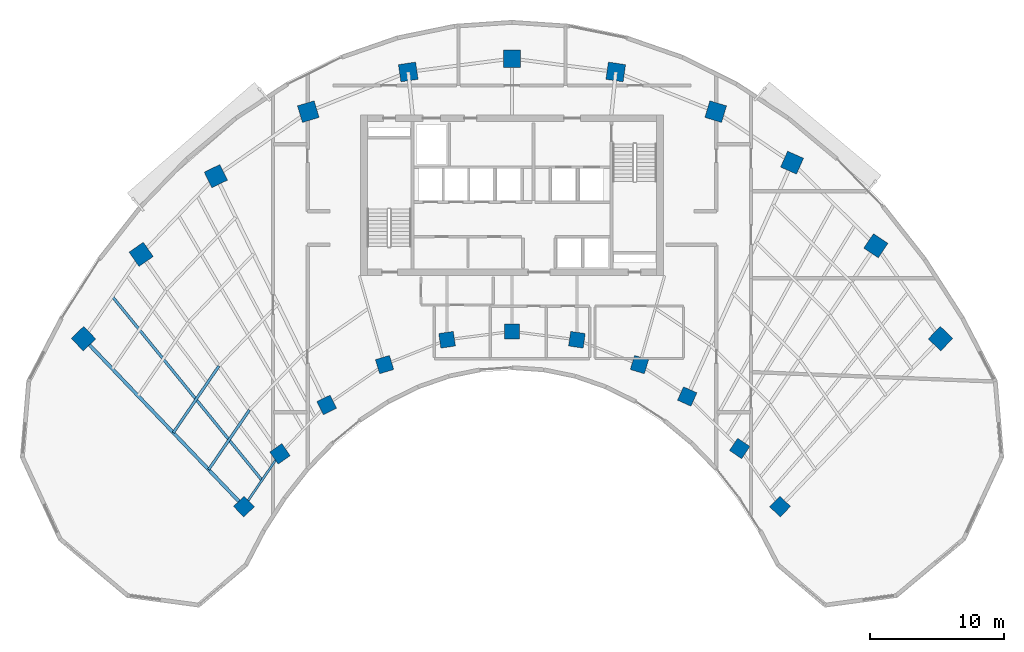
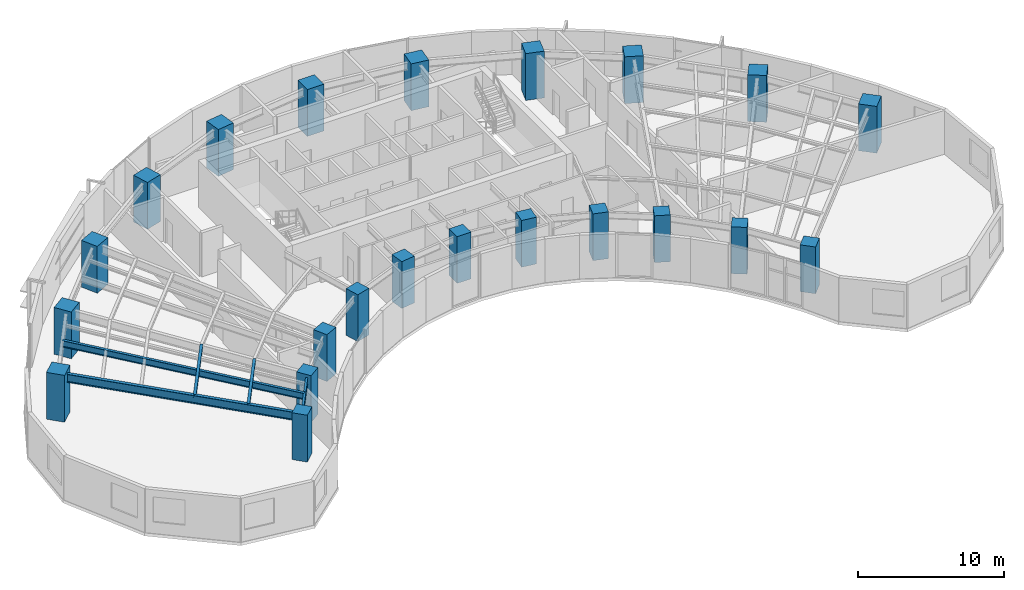
# One storey, part 1 of 14: 22 columns, 5 beams.
"""IFC4 building model written with IfcOpenShell, lengths in metres."""

from ifc_helpers import new_model, si_unit, direction, frame, origin, origin_2d, place, context, subcontext, project, spatial, rectangle, i_section, extrude, source, transform, mapped, material, material_profile, profile_set, type_object, type_shapes, element, save


model = new_model("IFC4")

# Units and contexts
model_context = context("Model", 3, precision=1e-05, world=origin(), true_north=direction((0.0, 1.0)))
body_context = subcontext(model_context, "Body", "Model", "MODEL_VIEW")
ifc_project = project(units=[si_unit("LENGTHUNIT", "METRE"), si_unit("AREAUNIT", "SQUARE_METRE"), si_unit("VOLUMEUNIT", "CUBIC_METRE"), si_unit("PLANEANGLEUNIT", "RADIAN"), si_unit("MASSUNIT", "GRAM", prefix="KILO")], contexts=[model_context])

# Site, building, storey
site_placement = place(None, origin())
site = spatial("IfcSite", under=ifc_project, at=site_placement, CompositionType="ELEMENT")
building_placement = place(site_placement, origin())
building = spatial("IfcBuilding", under=site, at=building_placement, Name="Breltana Convention Tower", CompositionType="ELEMENT")
storey_placement = place(building_placement, frame((0.0, 0.0, 119.39990234375)))
storey = spatial("IfcBuildingStorey", under=building, at=storey_placement, Name="L28", CompositionType="ELEMENT", Elevation=119.39990234375)

# Columns
ifc_material_1 = material(Name="Concrete C60/75", Category="concrete")
ifc_material_profile_1 = material_profile(ifc_material_1, rectangle(XDim=1.10009765625, YDim=1.10009765625, at=origin_2d()), Name="RC-COL-1100X1100")
ifc_profile_set_1 = profile_set([ifc_material_profile_1], Name="Concrete C60/75")
column_type_1 = type_object("IfcColumnType", Name="COL-RC-1100", PredefinedType="COLUMN", material=ifc_profile_set_1)
shared_shape_1 = source(origin(), body_context, "Body", "SweptSolid", [
    extrude(rectangle(XDim=1.10009765625, YDim=1.10009765625, at=origin_2d()), origin(), (0.0, 0.0, 1.0), 3.900146484375),
])
for number, where, z_axis, x_axis, name in (
    (1, (27.984619140625, 42.95458984375, 0.0), (0.0, 0.0, 1.0), (-0.690756218984, 0.723087716626, 0.0), "L28 Tower Column R01-IN"),
    (2, (30.67724609375, 46.892333984375, 0.0), (0.0, 0.0, 1.0), (-0.571143442153, 0.820850271661, 0.0), "L28 Tower Column R02-IN"),
    (3, (34.166259765625, 50.544921875, 0.0), (0.0, 0.0, 1.0), (-0.436173672171, 0.899862504889, 0.0), "L28 Tower Column R03-IN"),
    (4, (38.485107421875, 53.5576171875, 0.0), (0.0, 0.0, 1.0), (-0.288697611798, 0.957420330337, 0.0), "L28 Tower Column R04-IN"),
    (5, (43.153564453125, 55.41064453125, 0.0), (0.0, 0.0, 1.0), (-0.143492621991, 0.98965138682, 0.0), "L28 Tower Column R05-IN"),
    (6, (48.0, 56.035888671875, 0.0), (0.0, 0.0, 1.0), (0.0, 1.0, 0.0), "L28 Tower Column R06-IN"),
    (7, (52.846435546875, 55.41064453125, 0.0), (0.0, 0.0, 1.0), (0.143492621991, 0.98965138682, 0.0), "L28 Tower Column R07-IN"),
    (8, (57.514892578125, 53.5576171875, 0.0), (0.0, 0.0, 1.0), (0.288697611798, 0.957420330337, 0.0), "L28 Tower Column R08-IN"),
    (9, (61.08203125, 51.174560546875, 0.0), (0.0, 0.0, 1.0), (0.409126902895, 0.912477494148, 0.0), "L28 Tower Column R09-IN"),
    (10, (64.995849609375, 47.293701171875, 0.0), (0.0, 0.0, 1.0), (0.55774510898, 0.830012285095, 0.0), "L28 Tower Column R10-IN"),
    (11, (68.015380859375, 42.95458984375, 0.0), (0.0, 0.0, 1.0), (0.690756218984, 0.723087716626, 0.0), "L28 Tower Column R11-IN"),
):
    element("IfcColumn", number, at=place(storey_placement, frame(where, z_axis=z_axis, x_axis=x_axis)), inside=storey, type_object=column_type_1, Name=name, PredefinedType="COLUMN", context=body_context, shape_type="MappedRepresentation", body=[
        mapped(shared_shape_1, transform((0.0, 0.0, 0.0), scale=1.0)),
    ])
ifc_material_profile_2 = material_profile(ifc_material_1, rectangle(XDim=1.300048828125, YDim=1.300048828125, at=origin_2d()), Name="RC-COL-1300X1300")
ifc_profile_set_2 = profile_set([ifc_material_profile_2], Name="Concrete C60/75")
column_type_2 = type_object("IfcColumnType", Name="COL-RC-1300", PredefinedType="COLUMN", material=ifc_profile_set_2)
shared_shape_2 = source(origin(), body_context, "Body", "SweptSolid", [
    extrude(rectangle(XDim=1.300048828125, YDim=1.300048828125, at=origin_2d()), origin(), (0.0, 0.0, 1.0), 3.900146484375),
])
for number, where, z_axis, x_axis, name in (
    (12, (16.0068359375, 55.494384765625, 0.0), (0.0, 0.0, 1.0), (-0.690756218984, 0.723087716626, 0.0), "L28 Tower Column R01-OUT"),
    (13, (20.310791015625, 61.78857421875, 0.0), (0.0, 0.0, 1.0), (-0.571143442153, 0.820850271661, 0.0), "L28 Tower Column R02-OUT"),
    (14, (25.8876953125, 67.626953125, 0.0), (0.0, 0.0, 1.0), (-0.436173672171, 0.899862504889, 0.0), "L28 Tower Column R03-OUT"),
    (15, (32.791015625, 72.4423828125, 0.0), (0.0, 0.0, 1.0), (-0.288697611798, 0.957420330337, 0.0), "L28 Tower Column R04-OUT"),
    (16, (40.253173828125, 75.404296875, 0.0), (0.0, 0.0, 1.0), (-0.143492621991, 0.98965138682, 0.0), "L28 Tower Column R05-OUT"),
    (17, (48.0, 76.404052734375, 0.0), (0.0, 0.0, 1.0), (0.0, 1.0, 0.0), "L28 Tower Column R06-OUT"),
    (18, (55.746826171875, 75.404296875, 0.0), (0.0, 0.0, 1.0), (0.143492621991, 0.98965138682, 0.0), "L28 Tower Column R07-OUT"),
    (19, (63.208984375, 72.4423828125, 0.0), (0.0, 0.0, 1.0), (0.288697611798, 0.957420330337, 0.0), "L28 Tower Column R08-OUT"),
    (20, (68.910400390625, 68.63330078125, 0.0), (0.0, 0.0, 1.0), (0.409126902895, 0.912477494148, 0.0), "L28 Tower Column R09-OUT"),
    (21, (75.166748046875, 62.43017578125, 0.0), (0.0, 0.0, 1.0), (0.55774510898, 0.830012285095, 0.0), "L28 Tower Column R10-OUT"),
    (22, (79.9931640625, 55.494384765625, 0.0), (0.0, 0.0, 1.0), (0.690756218984, 0.723087716626, 0.0), "L28 Tower Column R11-OUT"),
):
    element("IfcColumn", number, at=place(storey_placement, frame(where, z_axis=z_axis, x_axis=x_axis)), inside=storey, type_object=column_type_2, Name=name, PredefinedType="COLUMN", context=body_context, shape_type="MappedRepresentation", body=[
        mapped(shared_shape_2, transform((0.0, 0.0, 0.0), scale=1.0)),
    ])

# Beams
ifc_material_2 = material(Name="Steel ASTM A992 Grade 50", Category="steel")
ifc_material_profile_3 = material_profile(ifc_material_2, i_section(OverallWidth=0.25390625, OverallDepth=0.68798828125, WebThickness=0.01318359375, FlangeThickness=0.02099609375, at=origin_2d()), Name="W27X102")
ifc_profile_set_3 = profile_set([ifc_material_profile_3], Name="Steel ASTM A992 Grade 50")
beam_type_1 = type_object("IfcBeamType", Name="BM-RG-W27X102", PredefinedType="USERDEFINED", material=ifc_profile_set_3)
shared_shape_3 = source(origin(), body_context, "Body", "SweptSolid", [
    extrude(i_section(OverallWidth=0.25390625, OverallDepth=0.68798828125, WebThickness=0.01318359375, FlangeThickness=0.02099609375, at=origin_2d()), origin(), (0.0, 0.0, 1.0), 17.341064453125),
])
type_shapes(beam_type_1, [shared_shape_3])
beam_1_placement = place(storey_placement, frame((27.984619140625, 42.95458984375, 3.30615234375), z_axis=(-0.690716462293, 0.723125693581, 0.0), x_axis=(-0.723125693581, -0.690716462293, 0.0)))
element("IfcBeam", 23, at=beam_1_placement, inside=storey, type_object=beam_type_1, Name="L28 Radial Floor Girder R01", ObjectType="GIRDER", PredefinedType="USERDEFINED", context=body_context, shape_type="MappedRepresentation", body=[
    mapped(shared_shape_3, transform((0.0, 0.0, 0.0), scale=1.0)),
])
ifc_material_profile_4 = material_profile(ifc_material_2, i_section(OverallWidth=0.166015625, OverallDepth=0.534912109375, WebThickness=0.01025390625, FlangeThickness=0.0166015625, at=origin_2d()), Name="W21X57")
ifc_profile_set_4 = profile_set([ifc_material_profile_4], Name="Steel ASTM A992 Grade 50")
beam_type_2 = type_object("IfcBeamType", Name="BM-BM-W21X57", PredefinedType="BEAM", material=ifc_profile_set_4)
shared_shape_4 = source(origin(), body_context, "Body", "SweptSolid", [
    extrude(i_section(OverallWidth=0.166015625, OverallDepth=0.534912109375, WebThickness=0.01025390625, FlangeThickness=0.0166015625, at=origin_2d()), origin(), (0.0, 0.0, 1.0), 4.770263671875),
])
beam_2_placement = place(storey_placement, frame((27.984619140625, 42.95458984375, 3.382568359375), z_axis=(0.564452719055, 0.82546540082, 0.0), x_axis=(-0.82546540082, 0.564452719055, 0.0)))
element("IfcBeam", 24, at=beam_2_placement, inside=storey, type_object=beam_type_2, Name="L28 Inner Ring Beam 01", PredefinedType="BEAM", context=body_context, shape_type="MappedRepresentation", body=[
    mapped(shared_shape_4, transform((0.0, 0.0, 0.0), scale=1.0)),
])
ifc_material_profile_5 = material_profile(ifc_material_2, i_section(OverallWidth=0.201904296875, OverallDepth=0.2470703125, WebThickness=0.00732421875, FlangeThickness=0.010986328125, at=origin_2d()), Name="W10X33")
ifc_profile_set_5 = profile_set([ifc_material_profile_5], Name="Steel ASTM A992 Grade 50")
beam_type_3 = type_object("IfcBeamType", Name="BM-JSG-11", PredefinedType="JOIST", material=ifc_profile_set_5)
shared_shape_5 = source(origin(), body_context, "Body", "SweptSolid", [
    extrude(i_section(OverallWidth=0.201904296875, OverallDepth=0.2470703125, WebThickness=0.00732421875, FlangeThickness=0.010986328125, at=origin_2d()), origin(), (0.0, 0.0, 1.0), 5.3984375),
])
beam_3_placement = place(storey_placement, frame((25.349365234375, 45.71337890625, 3.526611328125), z_axis=(0.564440705434, 0.825473615599, 0.0), x_axis=(-0.825473615599, 0.564440705434, 0.0)))
element("IfcBeam", 25, at=beam_3_placement, inside=storey, type_object=beam_type_3, Name="L28 Composite Floor Joist 01.1", PredefinedType="JOIST", context=body_context, shape_type="MappedRepresentation", body=[
    mapped(shared_shape_5, transform((0.0, 0.0, 0.0), scale=1.0)),
])
shared_shape_6 = source(origin(), body_context, "Body", "SweptSolid", [
    extrude(i_section(OverallWidth=0.201904296875, OverallDepth=0.2470703125, WebThickness=0.00732421875, FlangeThickness=0.010986328125, at=origin_2d()), origin(), (0.0, 0.0, 1.0), 6.0263671875),
])
beam_4_placement = place(storey_placement, frame((22.71435546875, 48.47216796875, 3.526611328125), z_axis=(0.564450071397, 0.825467211281, 0.0), x_axis=(-0.825467211281, 0.564450071397, 0.0)))
element("IfcBeam", 26, at=beam_4_placement, inside=storey, type_object=beam_type_3, Name="L28 Composite Floor Joist 01.2", PredefinedType="JOIST", context=body_context, shape_type="MappedRepresentation", body=[
    mapped(shared_shape_6, transform((0.0, 0.0, 0.0), scale=1.0)),
])
ifc_material_profile_6 = material_profile(ifc_material_2, i_section(OverallWidth=0.2099609375, OverallDepth=0.537109375, WebThickness=0.010986328125, FlangeThickness=0.017333984375, at=origin_2d()), Name="W21X68")
ifc_profile_set_6 = profile_set([ifc_material_profile_6], Name="Steel ASTM A992 Grade 50")
beam_type_4 = type_object("IfcBeamType", Name="BM-JSG-04", PredefinedType="JOIST", material=ifc_profile_set_6)
shared_shape_7 = source(origin(), body_context, "Body", "SweptSolid", [
    extrude(i_section(OverallWidth=0.2099609375, OverallDepth=0.537109375, WebThickness=0.010986328125, FlangeThickness=0.017333984375, at=origin_2d()), origin(), (0.0, 0.0, 1.0), 17.691650390625),
])
beam_5_placement = place(storey_placement, frame((29.330810546875, 44.923583984375, 3.381591796875), z_axis=(-0.631476958478, 0.775394642044, 0.0), x_axis=(-0.775394642044, -0.631476958478, 0.0)))
element("IfcBeam", 27, at=beam_5_placement, inside=storey, type_object=beam_type_4, Name="L28 Mid-Bay Radial Trimmer 01", PredefinedType="JOIST", context=body_context, shape_type="MappedRepresentation", body=[
    mapped(shared_shape_7, transform((0.0, 0.0, 0.0), scale=1.0)),
])

save(model, "model.ifc")
